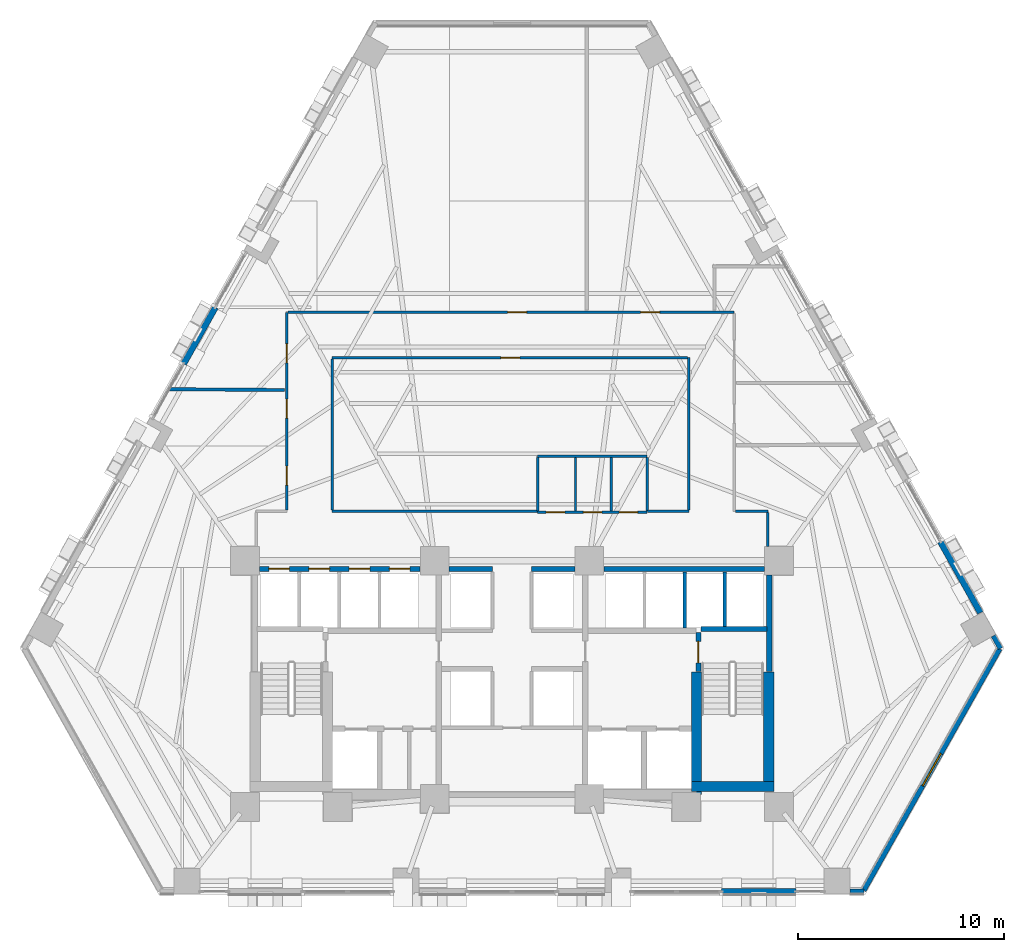
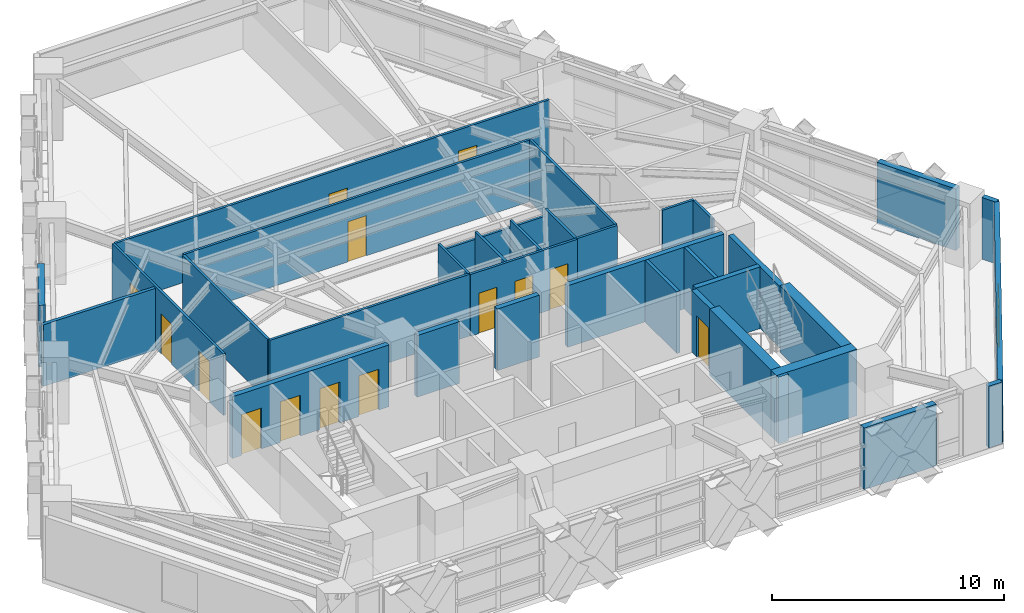
# One storey, part 8 of 13: 34 walls, 14 doors, 1 window, 15 openings.
"""IFC4 building model written with IfcOpenShell, lengths in metres."""

from ifc_helpers import new_model, si_unit, direction, frame, frame_2d, origin, place, context, subcontext, project, spatial, rectangle, extrude, material, layer, layer_set, type_object, element, fill, save


model = new_model("IFC4")

# Units and contexts
model_context = context("Model", 3, precision=1e-05, world=origin(), true_north=direction((0.0, 1.0)))
body_context = subcontext(model_context, "Body", "Model", "MODEL_VIEW")
ifc_project = project(units=[si_unit("LENGTHUNIT", "METRE"), si_unit("AREAUNIT", "SQUARE_METRE"), si_unit("VOLUMEUNIT", "CUBIC_METRE"), si_unit("PLANEANGLEUNIT", "RADIAN"), si_unit("MASSUNIT", "GRAM", prefix="KILO")], contexts=[model_context])

# Site, building, storey
site_placement = place(None, origin())
site = spatial("IfcSite", under=ifc_project, at=site_placement, CompositionType="ELEMENT")
building_placement = place(site_placement, origin())
building = spatial("IfcBuilding", under=site, at=building_placement, Name="Quenlor Broadcast Tower", CompositionType="ELEMENT")
storey_placement = place(building_placement, frame((0.0, 0.0, 41.60009765625)))
storey = spatial("IfcBuildingStorey", under=building, at=storey_placement, Name="L10", CompositionType="ELEMENT", Elevation=41.60009765625)

# Walls
ifc_material_1 = material(Name="Concrete C65/80", Category="concrete")
ifc_layer_1 = layer(ifc_material_1, 0.5)
ifc_layer_set_1 = layer_set([ifc_layer_1], Name="Core Concrete C65/80 Shear Wall 500")
wall_type_1 = type_object("IfcWallType", Name="Core Concrete C65/80 Shear Wall 500", PredefinedType="SHEAR", material=ifc_layer_set_1)
wall_1_placement = place(storey_placement, frame((8.699951171875, -15.75, 0.0), z_axis=(0.0, 0.0, 1.0), x_axis=(1.0, 0.0, 0.0)))
element("IfcWall", 1, at=wall_1_placement, inside=storey, type_object=wall_type_1, Name="L10 Core Shear Wall WS-E2", PredefinedType="SHEAR", context=body_context, shape_type="SweptSolid", body=[
    extrude(rectangle(XDim=4.0, YDim=0.5, at=frame_2d((2.0, 0.0))), origin(), (0.0, 0.0, 1.0), 3.5),
])
wall_2_placement = place(storey_placement, frame((12.449951171875, -15.75, 0.0), z_axis=(0.0, 0.0, 1.0), x_axis=(0.0, 1.0, 0.0)))
element("IfcWall", 2, at=wall_2_placement, inside=storey, type_object=wall_type_1, Name="L10 Core Shear Wall WF-E", PredefinedType="SHEAR", context=body_context, shape_type="SweptSolid", body=[
    extrude(rectangle(XDim=5.550048828125, YDim=0.5, at=frame_2d((2.77490234375, 0.0))), origin(), (0.0, 0.0, 1.0), 3.5),
])
wall_3_placement = place(storey_placement, frame((8.949951171875, -16.14990234375, 0.0), z_axis=(0.0, 0.0, 1.0), x_axis=(0.0, 1.0, 0.0)))
element("IfcWall", 3, at=wall_3_placement, inside=storey, type_object=wall_type_1, Name="L10 Core Shear Wall WI-E", PredefinedType="SHEAR", context=body_context, shape_type="SweptSolid", body=[
    extrude(rectangle(XDim=5.949951171875, YDim=0.5, at=frame_2d((2.97509765625, 0.0))), origin(), (0.0, 0.0, 1.0), 3.5),
])

# Wall, opening, door
ifc_material_2 = material(Name="Concrete C40/50", Category="concrete")
ifc_layer_2 = layer(ifc_material_2, 0.25)
ifc_layer_set_2 = layer_set([ifc_layer_2], Name="Fire Rated Concrete C40/50 Core Wall 250")
wall_type_2 = type_object("IfcWallType", Name="Fire Rated Concrete C40/50 Core Wall 250", PredefinedType="PARTITIONING", material=ifc_layer_set_2)
wall_4_placement = place(storey_placement, frame((9.0400390625, -10.179931640625, 0.0), z_axis=(0.0, 0.0, 1.0), x_axis=(0.0, 1.0, 0.0)))
wall_4 = element("IfcWall", 4, at=wall_4_placement, inside=storey, type_object=wall_type_2, Name="L10 Interior Wall CW-ST2-DR", PredefinedType="PARTITIONING", context=body_context, shape_type="SweptSolid", body=[
    extrude(rectangle(XDim=1.89990234375, YDim=0.25, at=frame_2d((0.949951171875, 0.0))), origin(), (0.0, 0.0, 1.0), 3.25),
])
opening_1_placement = place(wall_4_placement, frame((0.419921875, 0.0, 0.0)))
opening_1 = element("IfcOpeningElement", 5, at=opening_1_placement, cuts=wall_4, Name="Opening FD-1", PredefinedType="OPENING", context=body_context, shape_type="SweptSolid", body=[
    extrude(rectangle(XDim=1.050048828125, YDim=2.14990234375, at=frame_2d((0.52490234375, 1.074951171875))), frame((0.0, 0.135009765625, 0.0), z_axis=(0.0, -1.0, 0.0), x_axis=(1.0, 0.0, 0.0)), (0.0, 0.0, 1.0), 0.27001953125),
])
ifc_material_3 = material(Name="Fire Rated Steel Door Leaf", Category="steel")
door_type_1 = type_object("IfcDoorType", Name="Fire Isolated Stair Door 1050x2150", OperationType="NOTDEFINED", PredefinedType="DOOR", material=ifc_material_3)
door_1_placement = place(opening_1_placement, origin())
door_1 = element("IfcDoor", 6, at=door_1_placement, inside=storey, type_object=door_type_1, Name="L10 Door DR-ST2", OperationType="SINGLE_SWING_RIGHT", OverallHeight=2.14990234375, OverallWidth=1.050048828125, PredefinedType="DOOR", context=body_context, shape_type="SweptSolid", body=[
    extrude(rectangle(XDim=1.050048828125, YDim=2.14990234375, at=frame_2d((0.52490234375, 1.074951171875))), frame((0.0, 0.02490234375, 0.0), z_axis=(0.0, -1.0, 0.0), x_axis=(1.0, 0.0, 0.0)), (0.0, 0.0, 1.0), 0.050048828125),
])
fill(opening_1, door_1)

# Walls
wall_5_placement = place(storey_placement, frame((9.159912109375, -8.1201171875, 0.0), z_axis=(0.0, 0.0, 1.0), x_axis=(1.0, 0.0, 0.0)))
element("IfcWall", 7, at=wall_5_placement, inside=storey, type_object=wall_type_2, Name="L10 Interior Wall CW-ST2-N", PredefinedType="PARTITIONING", context=body_context, shape_type="SweptSolid", body=[
    extrude(rectangle(XDim=3.219970703125, YDim=0.25, at=frame_2d((1.60986328125, 0.0))), origin(), (0.0, 0.0, 1.0), 3.25),
])
wall_6_placement = place(storey_placement, frame((12.47998046875, -10.179931640625, 0.0), z_axis=(0.0, 0.0, 1.0), x_axis=(0.0, 1.0, 0.0)))
element("IfcWall", 8, at=wall_6_placement, inside=storey, type_object=wall_type_2, Name="L10 Interior Wall CW-ST2-E2", PredefinedType="PARTITIONING", context=body_context, shape_type="SweptSolid", body=[
    extrude(rectangle(XDim=4.677978515625, YDim=0.25, at=frame_2d((2.3388671875, 0.0))), origin(), (0.0, 0.0, 1.0), 3.25),
])

# Wall, openings, doors
wall_7_placement = place(storey_placement, frame((-12.248046875, -5.199951171875, 0.0), z_axis=(0.0, 0.0, 1.0), x_axis=(1.0, 0.0, 0.0)))
wall_7 = element("IfcWall", 9, at=wall_7_placement, inside=storey, type_object=wall_type_2, Name="L10 Interior Wall CW-N-W", PredefinedType="PARTITIONING", context=body_context, shape_type="SweptSolid", body=[
    extrude(rectangle(XDim=7.796142578125, YDim=0.25, at=frame_2d((3.89794921875, 0.0))), origin(), (0.0, 0.0, 1.0), 3.25),
])
opening_2_placement = place(wall_7_placement, frame((0.447998046875, 0.0, 0.0)))
opening_2 = element("IfcOpeningElement", 10, at=opening_2_placement, cuts=wall_7, Name="Opening LD-PL-L1", PredefinedType="OPENING", context=body_context, shape_type="SweptSolid", body=[
    extrude(rectangle(XDim=1.0, YDim=2.14990234375, at=frame_2d((0.5, 1.074951171875))), frame((0.0, 0.135009765625, 0.0), z_axis=(0.0, -1.0, 0.0), x_axis=(1.0, 0.0, 0.0)), (0.0, 0.0, 1.0), 0.27001953125),
])
opening_3_placement = place(wall_7_placement, frame((2.39794921875, 0.0, 0.0)))
opening_3 = element("IfcOpeningElement", 11, at=opening_3_placement, cuts=wall_7, Name="Opening LD-PL-L2", PredefinedType="OPENING", context=body_context, shape_type="SweptSolid", body=[
    extrude(rectangle(XDim=1.0, YDim=2.14990234375, at=frame_2d((0.5, 1.074951171875))), frame((0.0, 0.135009765625, 0.0), z_axis=(0.0, -1.0, 0.0), x_axis=(1.0, 0.0, 0.0)), (0.0, 0.0, 1.0), 0.27001953125),
])
opening_4_placement = place(wall_7_placement, frame((4.347900390625, 0.0, 0.0)))
opening_4 = element("IfcOpeningElement", 12, at=opening_4_placement, cuts=wall_7, Name="Opening LD-PL-L3", PredefinedType="OPENING", context=body_context, shape_type="SweptSolid", body=[
    extrude(rectangle(XDim=1.0, YDim=2.14990234375, at=frame_2d((0.5, 1.074951171875))), frame((0.0, 0.135009765625, 0.0), z_axis=(0.0, -1.0, 0.0), x_axis=(1.0, 0.0, 0.0)), (0.0, 0.0, 1.0), 0.27001953125),
])
opening_5_placement = place(wall_7_placement, frame((6.298095703125, 0.0, 0.0)))
opening_5 = element("IfcOpeningElement", 13, at=opening_5_placement, cuts=wall_7, Name="Opening LD-PL-L4", PredefinedType="OPENING", context=body_context, shape_type="SweptSolid", body=[
    extrude(rectangle(XDim=1.0, YDim=2.14990234375, at=frame_2d((0.5, 1.074951171875))), frame((0.0, 0.135009765625, 0.0), z_axis=(0.0, -1.0, 0.0), x_axis=(1.0, 0.0, 0.0)), (0.0, 0.0, 1.0), 0.27001953125),
])
ifc_material_4 = material(Name="Brushed Stainless Steel", Category="steel")
door_type_2 = type_object("IfcDoorType", Name="Passenger Lift Sliding Landing Door 1000x2150", OperationType="NOTDEFINED", PredefinedType="DOOR", material=ifc_material_4)
door_2_placement = place(opening_2_placement, origin())
door_2 = element("IfcDoor", 14, at=door_2_placement, inside=storey, type_object=door_type_2, Name="L10 Door LD-PL-L1", OperationType="SLIDING_TO_LEFT", OverallHeight=2.14990234375, OverallWidth=1.0, PredefinedType="DOOR", context=body_context, shape_type="SweptSolid", body=[
    extrude(rectangle(XDim=1.0, YDim=2.14990234375, at=frame_2d((0.5, 1.074951171875))), frame((0.0, 0.02490234375, 0.0), z_axis=(0.0, -1.0, 0.0), x_axis=(1.0, 0.0, 0.0)), (0.0, 0.0, 1.0), 0.050048828125),
])
fill(opening_2, door_2)
door_3_placement = place(opening_3_placement, origin())
door_3 = element("IfcDoor", 15, at=door_3_placement, inside=storey, type_object=door_type_2, Name="L10 Door LD-PL-L2", OperationType="SLIDING_TO_LEFT", OverallHeight=2.14990234375, OverallWidth=1.0, PredefinedType="DOOR", context=body_context, shape_type="SweptSolid", body=[
    extrude(rectangle(XDim=1.0, YDim=2.14990234375, at=frame_2d((0.5, 1.074951171875))), frame((0.0, 0.02490234375, 0.0), z_axis=(0.0, -1.0, 0.0), x_axis=(1.0, 0.0, 0.0)), (0.0, 0.0, 1.0), 0.050048828125),
])
fill(opening_3, door_3)
door_4_placement = place(opening_4_placement, origin())
door_4 = element("IfcDoor", 16, at=door_4_placement, inside=storey, type_object=door_type_2, Name="L10 Door LD-PL-L3", OperationType="SLIDING_TO_LEFT", OverallHeight=2.14990234375, OverallWidth=1.0, PredefinedType="DOOR", context=body_context, shape_type="SweptSolid", body=[
    extrude(rectangle(XDim=1.0, YDim=2.14990234375, at=frame_2d((0.5, 1.074951171875))), frame((0.0, 0.02490234375, 0.0), z_axis=(0.0, -1.0, 0.0), x_axis=(1.0, 0.0, 0.0)), (0.0, 0.0, 1.0), 0.050048828125),
])
fill(opening_4, door_4)
door_5_placement = place(opening_5_placement, origin())
door_5 = element("IfcDoor", 17, at=door_5_placement, inside=storey, type_object=door_type_2, Name="L10 Door LD-PL-L4", OperationType="SLIDING_TO_LEFT", OverallHeight=2.14990234375, OverallWidth=1.0, PredefinedType="DOOR", context=body_context, shape_type="SweptSolid", body=[
    extrude(rectangle(XDim=1.0, YDim=2.14990234375, at=frame_2d((0.5, 1.074951171875))), frame((0.0, 0.02490234375, 0.0), z_axis=(0.0, -1.0, 0.0), x_axis=(1.0, 0.0, 0.0)), (0.0, 0.0, 1.0), 0.050048828125),
])
fill(opening_5, door_5)

# Walls
wall_8_placement = place(storey_placement, frame((4.451904296875, -5.199951171875, 0.0), z_axis=(0.0, 0.0, 1.0), x_axis=(1.0, 0.0, 0.0)))
element("IfcWall", 18, at=wall_8_placement, inside=storey, type_object=wall_type_2, Name="L10 Interior Wall CW-N-E", PredefinedType="PARTITIONING", context=body_context, shape_type="SweptSolid", body=[
    extrude(rectangle(XDim=7.796142578125, YDim=0.25, at=frame_2d((3.89794921875, 0.0))), origin(), (0.0, 0.0, 1.0), 3.25),
])
for number, where, z_axis, x_axis, name in (
    (19, (-3.048095703125, -5.199951171875, 0.0), (0.0, 0.0, 1.0), (1.0, 0.0, 0.0), "L10 Interior Wall CW-N-M1"),
    (20, (0.949951171875, -5.199951171875, 0.0), (0.0, 0.0, 1.0), (1.0, 0.0, 0.0), "L10 Interior Wall CW-N-M2"),
):
    element("IfcWall", number, at=place(storey_placement, frame(where, z_axis=z_axis, x_axis=x_axis)), inside=storey, type_object=wall_type_2, Name=name, PredefinedType="PARTITIONING", context=body_context, shape_type="SweptSolid", body=[
        extrude(rectangle(XDim=2.09814453125, YDim=0.25, at=frame_2d((1.049072265625, 0.0))), origin(), (0.0, 0.0, 1.0), 3.25),
    ])
ifc_material_5 = material(Name="Gypsum Fireboard Partition", Category="other")
ifc_layer_3 = layer(ifc_material_5, 0.159912109375)
ifc_layer_set_3 = layer_set([ifc_layer_3], Name="Fire Rated Shaft and Corridor Partition 160")
wall_type_3 = type_object("IfcWallType", Name="Fire Rated Shaft and Corridor Partition 160", PredefinedType="PARTITIONING", material=ifc_layer_set_3)
wall_9_placement = place(storey_placement, frame((8.375, -8.072998046875, 0.0), z_axis=(0.0, 0.0, 1.0), x_axis=(0.0, 1.0, 0.0)))
element("IfcWall", 21, at=wall_9_placement, inside=storey, type_object=wall_type_3, Name="L10 Interior Wall CW-PLH-D2", PredefinedType="PARTITIONING", context=body_context, shape_type="SweptSolid", body=[
    extrude(rectangle(XDim=2.73291015625, YDim=0.159912109375, at=frame_2d((1.366455078125, 0.0))), origin(), (0.0, 0.0, 1.0), 3.25),
])
wall_10_placement = place(storey_placement, frame((10.324951171875, -7.992919921875, 0.0), z_axis=(0.0, 0.0, 1.0), x_axis=(0.0, 1.0, 0.0)))
element("IfcWall", 22, at=wall_10_placement, inside=storey, type_object=wall_type_3, Name="L10 Interior Wall CW-PLH-D3", PredefinedType="PARTITIONING", context=body_context, shape_type="SweptSolid", body=[
    extrude(rectangle(XDim=2.65283203125, YDim=0.159912109375, at=frame_2d((1.326416015625, 0.0))), origin(), (0.0, 0.0, 1.0), 3.25),
])
wall_11_placement = place(storey_placement, frame((-11.034912109375, 3.481201171875, 0.0), z_axis=(0.0, 0.0, 1.0), x_axis=(-0.999974855712, 0.007091399344, 0.0)))
element("IfcWall", 23, at=wall_11_placement, inside=storey, type_object=wall_type_3, Name="L10 Interior Wall PW-DV-04", PredefinedType="PARTITIONING", context=body_context, shape_type="SweptSolid", body=[
    extrude(rectangle(XDim=5.577392578125, YDim=0.159912109375, at=frame_2d((2.78857421875, 0.0))), origin(), (0.0, 0.0, 1.0), 3.25),
])

# Wall, openings, doors
ifc_material_6 = material(Name="Gypsum Plasterboard Partition", Category="other")
ifc_layer_4 = layer(ifc_material_6, 0.1201171875)
ifc_layer_set_4 = layer_set([ifc_layer_4], Name="Standard Office Partition 120")
wall_type_4 = type_object("IfcWallType", Name="Standard Office Partition 120", PredefinedType="PARTITIONING", material=ifc_layer_set_4)
wall_12_placement = place(storey_placement, frame((1.239990234375, -2.43994140625, 0.0), z_axis=(0.0, 0.0, 1.0), x_axis=(1.0, 0.0, 0.0)))
wall_12 = element("IfcWall", 24, at=wall_12_placement, inside=storey, type_object=wall_type_4, Name="L10 Interior Wall PW-WC-S", PredefinedType="PARTITIONING", context=body_context, shape_type="SweptSolid", body=[
    extrude(rectangle(XDim=5.320068359375, YDim=0.1201171875, at=frame_2d((2.66015625, 0.0))), origin(), (0.0, 0.0, 1.0), 3.25),
])
opening_6_placement = place(wall_12_placement, frame((0.419921875, 0.0, 0.0)))
opening_6 = element("IfcOpeningElement", 25, at=opening_6_placement, cuts=wall_12, Name="Opening ID-3", PredefinedType="OPENING", context=body_context, shape_type="SweptSolid", body=[
    extrude(rectangle(XDim=0.89990234375, YDim=2.1201171875, at=frame_2d((0.449951171875, 1.06005859375))), frame((0.0, 0.070068359375, 0.0), z_axis=(0.0, -1.0, 0.0), x_axis=(1.0, 0.0, 0.0)), (0.0, 0.0, 1.0), 0.14013671875),
])
opening_7_placement = place(wall_12_placement, frame((2.219970703125, 0.0, 0.0)))
opening_7 = element("IfcOpeningElement", 26, at=opening_7_placement, cuts=wall_12, Name="Opening ID-3", PredefinedType="OPENING", context=body_context, shape_type="SweptSolid", body=[
    extrude(rectangle(XDim=0.89990234375, YDim=2.1201171875, at=frame_2d((0.449951171875, 1.06005859375))), frame((0.0, 0.070068359375, 0.0), z_axis=(0.0, -1.0, 0.0), x_axis=(1.0, 0.0, 0.0)), (0.0, 0.0, 1.0), 0.14013671875),
])
opening_8_placement = place(wall_12_placement, frame((3.9599609375, 0.0, 0.0)))
opening_8 = element("IfcOpeningElement", 27, at=opening_8_placement, cuts=wall_12, Name="Opening ID-3", PredefinedType="OPENING", context=body_context, shape_type="SweptSolid", body=[
    extrude(rectangle(XDim=0.89990234375, YDim=2.1201171875, at=frame_2d((0.449951171875, 1.06005859375))), frame((0.0, 0.070068359375, 0.0), z_axis=(0.0, -1.0, 0.0), x_axis=(1.0, 0.0, 0.0)), (0.0, 0.0, 1.0), 0.14013671875),
])
ifc_material_7 = material(Name="Moisture Resistant Timber Oak", Category="wood")
door_type_3 = type_object("IfcDoorType", Name="Washroom Privacy Door 900x2120", OperationType="NOTDEFINED", PredefinedType="DOOR", material=ifc_material_7)
door_6_placement = place(opening_6_placement, origin())
door_6 = element("IfcDoor", 28, at=door_6_placement, inside=storey, type_object=door_type_3, Name="L10 Door DR-AWC", OperationType="SINGLE_SWING_LEFT", OverallHeight=2.1201171875, OverallWidth=0.89990234375, PredefinedType="DOOR", context=body_context, shape_type="SweptSolid", body=[
    extrude(rectangle(XDim=0.89990234375, YDim=2.1201171875, at=frame_2d((0.449951171875, 1.06005859375))), frame((0.0, 0.02490234375, 0.0), z_axis=(0.0, -1.0, 0.0), x_axis=(1.0, 0.0, 0.0)), (0.0, 0.0, 1.0), 0.050048828125),
])
fill(opening_6, door_6)
door_7_placement = place(opening_7_placement, origin())
door_7 = element("IfcDoor", 29, at=door_7_placement, inside=storey, type_object=door_type_3, Name="L10 Door DR-MWC", OperationType="SINGLE_SWING_LEFT", OverallHeight=2.1201171875, OverallWidth=0.89990234375, PredefinedType="DOOR", context=body_context, shape_type="SweptSolid", body=[
    extrude(rectangle(XDim=0.89990234375, YDim=2.1201171875, at=frame_2d((0.449951171875, 1.06005859375))), frame((0.0, 0.02490234375, 0.0), z_axis=(0.0, -1.0, 0.0), x_axis=(1.0, 0.0, 0.0)), (0.0, 0.0, 1.0), 0.050048828125),
])
fill(opening_7, door_7)
door_8_placement = place(opening_8_placement, origin())
door_8 = element("IfcDoor", 30, at=door_8_placement, inside=storey, type_object=door_type_3, Name="L10 Door DR-FWC", OperationType="SINGLE_SWING_RIGHT", OverallHeight=2.1201171875, OverallWidth=0.89990234375, PredefinedType="DOOR", context=body_context, shape_type="SweptSolid", body=[
    extrude(rectangle(XDim=0.89990234375, YDim=2.1201171875, at=frame_2d((0.449951171875, 1.06005859375))), frame((0.0, 0.02490234375, 0.0), z_axis=(0.0, -1.0, 0.0), x_axis=(1.0, 0.0, 0.0)), (0.0, 0.0, 1.0), 0.050048828125),
])
fill(opening_8, door_8)

# Walls
wall_13_placement = place(storey_placement, frame((1.239990234375, 0.260009765625, 0.0), z_axis=(0.0, 0.0, 1.0), x_axis=(1.0, 0.0, 0.0)))
element("IfcWall", 31, at=wall_13_placement, inside=storey, type_object=wall_type_4, Name="L10 Interior Wall PW-WC-N", PredefinedType="PARTITIONING", context=body_context, shape_type="SweptSolid", body=[
    extrude(rectangle(XDim=5.320068359375, YDim=0.1201171875, at=frame_2d((2.66015625, 0.0))), origin(), (0.0, 0.0, 1.0), 2.843505859375),
])
for number, where, z_axis, x_axis, name in (
    (32, (1.239990234375, -2.3779296875, 0.0), (0.0, 0.0, 1.0), (0.0, 1.0, 0.0), "L10 Interior Wall PW-WC-W"),
    (33, (3.080078125, -2.3779296875, 0.0), (0.0, 0.0, 1.0), (0.0, 1.0, 0.0), "L10 Interior Wall PW-WC-M1"),
    (34, (4.820068359375, -2.3779296875, 0.0), (0.0, 0.0, 1.0), (0.0, 1.0, 0.0), "L10 Interior Wall PW-WC-M2"),
    (35, (6.56005859375, -2.3779296875, 0.0), (0.0, 0.0, 1.0), (0.0, 1.0, 0.0), "L10 Interior Wall PW-WC-E"),
):
    element("IfcWall", number, at=place(storey_placement, frame(where, z_axis=z_axis, x_axis=x_axis)), inside=storey, type_object=wall_type_4, Name=name, PredefinedType="PARTITIONING", context=body_context, shape_type="SweptSolid", body=[
        extrude(rectangle(XDim=2.575927734375, YDim=0.1201171875, at=frame_2d((1.2880859375, 0.0))), origin(), (0.0, 0.0, 1.0), 3.25),
    ])

# Wall, openings, doors
wall_14_placement = place(storey_placement, frame((-10.925048828125, -2.337890625, 0.0), z_axis=(0.0, 0.0, 1.0), x_axis=(0.0, 1.0, 0.0)))
wall_14 = element("IfcWall", 36, at=wall_14_placement, inside=storey, type_object=wall_type_4, Name="L10 Interior Wall PW-CR-02", PredefinedType="PARTITIONING", context=body_context, shape_type="SweptSolid", body=[
    extrude(rectangle(XDim=9.587890625, YDim=0.1201171875, at=frame_2d((4.7939453125, 0.0))), origin(), (0.0, 0.0, 1.0), 3.25),
])
opening_9_placement = place(wall_14_placement, frame((7.134033203125, 0.0, 0.0)))
opening_9 = element("IfcOpeningElement", 37, at=opening_9_placement, cuts=wall_14, Name="Opening ID-1", PredefinedType="OPENING", context=body_context, shape_type="SweptSolid", body=[
    extrude(rectangle(XDim=0.919921875, YDim=2.1201171875, at=frame_2d((0.4599609375, 1.06005859375))), frame((0.0, 0.070068359375, 0.0), z_axis=(0.0, -1.0, 0.0), x_axis=(1.0, 0.0, 0.0)), (0.0, 0.0, 1.0), 0.14013671875),
])
opening_10_placement = place(wall_14_placement, frame((4.452880859375, 0.0, 0.0)))
opening_10 = element("IfcOpeningElement", 38, at=opening_10_placement, cuts=wall_14, Name="Opening ID-1", PredefinedType="OPENING", context=body_context, shape_type="SweptSolid", body=[
    extrude(rectangle(XDim=0.919921875, YDim=2.1201171875, at=frame_2d((0.4599609375, 1.06005859375))), frame((0.0, 0.070068359375, 0.0), z_axis=(0.0, -1.0, 0.0), x_axis=(1.0, 0.0, 0.0)), (0.0, 0.0, 1.0), 0.14013671875),
])
opening_11_placement = place(wall_14_placement, frame((1.20703125, 0.0, 0.0)))
opening_11 = element("IfcOpeningElement", 39, at=opening_11_placement, cuts=wall_14, Name="Opening ID-1", PredefinedType="OPENING", context=body_context, shape_type="SweptSolid", body=[
    extrude(rectangle(XDim=0.919921875, YDim=2.1201171875, at=frame_2d((0.4599609375, 1.06005859375))), frame((0.0, 0.070068359375, 0.0), z_axis=(0.0, -1.0, 0.0), x_axis=(1.0, 0.0, 0.0)), (0.0, 0.0, 1.0), 0.14013671875),
])
ifc_material_8 = material(Name="Solid Core Timber Oak", Category="wood")
door_type_4 = type_object("IfcDoorType", Name="Single Leaf Timber Office Door 920x2120", OperationType="NOTDEFINED", PredefinedType="DOOR", material=ifc_material_8)
door_9_placement = place(opening_9_placement, origin())
door_9 = element("IfcDoor", 40, at=door_9_placement, inside=storey, type_object=door_type_4, Name="L10 Door DR-RM03", OperationType="SINGLE_SWING_RIGHT", OverallHeight=2.1201171875, OverallWidth=0.919921875, PredefinedType="DOOR", context=body_context, shape_type="SweptSolid", body=[
    extrude(rectangle(XDim=0.919921875, YDim=2.1201171875, at=frame_2d((0.4599609375, 1.06005859375))), frame((0.0, 0.02490234375, 0.0), z_axis=(0.0, -1.0, 0.0), x_axis=(1.0, 0.0, 0.0)), (0.0, 0.0, 1.0), 0.050048828125),
])
fill(opening_9, door_9)
door_10_placement = place(opening_10_placement, origin())
door_10 = element("IfcDoor", 41, at=door_10_placement, inside=storey, type_object=door_type_4, Name="L10 Door DR-RM05", OperationType="SINGLE_SWING_RIGHT", OverallHeight=2.1201171875, OverallWidth=0.919921875, PredefinedType="DOOR", context=body_context, shape_type="SweptSolid", body=[
    extrude(rectangle(XDim=0.919921875, YDim=2.1201171875, at=frame_2d((0.4599609375, 1.06005859375))), frame((0.0, 0.02490234375, 0.0), z_axis=(0.0, -1.0, 0.0), x_axis=(1.0, 0.0, 0.0)), (0.0, 0.0, 1.0), 0.050048828125),
])
fill(opening_10, door_10)
door_11_placement = place(opening_11_placement, origin())
door_11 = element("IfcDoor", 42, at=door_11_placement, inside=storey, type_object=door_type_4, Name="L10 Door DR-RM08", OperationType="SINGLE_SWING_LEFT", OverallHeight=2.1201171875, OverallWidth=0.919921875, PredefinedType="DOOR", context=body_context, shape_type="SweptSolid", body=[
    extrude(rectangle(XDim=0.919921875, YDim=2.1201171875, at=frame_2d((0.4599609375, 1.06005859375))), frame((0.0, 0.02490234375, 0.0), z_axis=(0.0, -1.0, 0.0), x_axis=(1.0, 0.0, 0.0)), (0.0, 0.0, 1.0), 0.050048828125),
])
fill(opening_11, door_11)

wall_15_placement = place(storey_placement, frame((-10.863037109375, 7.25, 0.0), z_axis=(0.0, 0.0, 1.0), x_axis=(1.0, 0.0, 0.0)))
wall_15 = element("IfcWall", 43, at=wall_15_placement, inside=storey, type_object=wall_type_4, Name="L10 Interior Wall PW-CR-03", PredefinedType="PARTITIONING", context=body_context, shape_type="SweptSolid", body=[
    extrude(rectangle(XDim=21.637939453125, YDim=0.1201171875, at=frame_2d((10.81884765625, 0.0))), origin(), (0.0, 0.0, 1.0), 3.25),
])
opening_12_placement = place(wall_15_placement, frame((10.653076171875, 0.0, 0.0)))
opening_12 = element("IfcOpeningElement", 44, at=opening_12_placement, cuts=wall_15, Name="Opening ID-1", PredefinedType="OPENING", context=body_context, shape_type="SweptSolid", body=[
    extrude(rectangle(XDim=0.919921875, YDim=2.1201171875, at=frame_2d((0.4599609375, 1.06005859375))), frame((0.0, 0.070068359375, 0.0), z_axis=(0.0, -1.0, 0.0), x_axis=(1.0, 0.0, 0.0)), (0.0, 0.0, 1.0), 0.14013671875),
])
opening_13_placement = place(wall_15_placement, frame((17.10302734375, 0.0, 0.0)))
opening_13 = element("IfcOpeningElement", 45, at=opening_13_placement, cuts=wall_15, Name="Opening ID-1", PredefinedType="OPENING", context=body_context, shape_type="SweptSolid", body=[
    extrude(rectangle(XDim=0.919921875, YDim=2.1201171875, at=frame_2d((0.4599609375, 1.06005859375))), frame((0.0, 0.070068359375, 0.0), z_axis=(0.0, -1.0, 0.0), x_axis=(1.0, 0.0, 0.0)), (0.0, 0.0, 1.0), 0.14013671875),
])
door_12_placement = place(opening_12_placement, origin())
door_12 = element("IfcDoor", 46, at=door_12_placement, inside=storey, type_object=door_type_4, Name="L10 Door DR-RM01", OperationType="SINGLE_SWING_RIGHT", OverallHeight=2.1201171875, OverallWidth=0.919921875, PredefinedType="DOOR", context=body_context, shape_type="SweptSolid", body=[
    extrude(rectangle(XDim=0.919921875, YDim=2.1201171875, at=frame_2d((0.4599609375, 1.06005859375))), frame((0.0, 0.02490234375, 0.0), z_axis=(0.0, -1.0, 0.0), x_axis=(1.0, 0.0, 0.0)), (0.0, 0.0, 1.0), 0.050048828125),
])
fill(opening_12, door_12)
door_13_placement = place(opening_13_placement, origin())
door_13 = element("IfcDoor", 47, at=door_13_placement, inside=storey, type_object=door_type_4, Name="L10 Door DR-RM02", OperationType="SINGLE_SWING_LEFT", OverallHeight=2.1201171875, OverallWidth=0.919921875, PredefinedType="DOOR", context=body_context, shape_type="SweptSolid", body=[
    extrude(rectangle(XDim=0.919921875, YDim=2.1201171875, at=frame_2d((0.4599609375, 1.06005859375))), frame((0.0, 0.02490234375, 0.0), z_axis=(0.0, -1.0, 0.0), x_axis=(1.0, 0.0, 0.0)), (0.0, 0.0, 1.0), 0.050048828125),
])
fill(opening_13, door_13)

# Walls
wall_16_placement = place(storey_placement, frame((10.8369140625, -2.39990234375, 0.0), z_axis=(0.0, 0.0, 1.0), x_axis=(1.0, 0.0, 0.0)))
element("IfcWall", 48, at=wall_16_placement, inside=storey, type_object=wall_type_4, Name="L10 Interior Wall PW-CR-05", PredefinedType="PARTITIONING", context=body_context, shape_type="SweptSolid", body=[
    extrude(rectangle(XDim=1.572998046875, YDim=0.1201171875, at=frame_2d((0.78662109375, 0.0))), origin(), (0.0, 0.0, 1.0), 3.25),
])
wall_17_placement = place(storey_placement, frame((12.409912109375, -2.4619140625, 0.0), z_axis=(0.0, 0.0, 1.0), x_axis=(0.0, -1.0, 0.0)))
element("IfcWall", 49, at=wall_17_placement, inside=storey, type_object=wall_type_4, Name="L10 Interior Wall PW-CR-06", PredefinedType="PARTITIONING", context=body_context, shape_type="SweptSolid", body=[
    extrude(rectangle(XDim=1.635986328125, YDim=0.1201171875, at=frame_2d((0.81787109375, 0.0))), origin(), (0.0, 0.0, 1.0), 3.25),
])
wall_18_placement = place(storey_placement, frame((-8.72509765625, -2.39990234375, 0.0), z_axis=(0.0, 0.0, 1.0), x_axis=(1.0, 0.0, 0.0)))
element("IfcWall", 50, at=wall_18_placement, inside=storey, type_object=wall_type_4, Name="L10 Interior Wall PW-CR-08", PredefinedType="PARTITIONING", context=body_context, shape_type="SweptSolid", body=[
    extrude(rectangle(XDim=9.963134765625, YDim=0.1201171875, at=frame_2d((4.9814453125, 0.0))), origin(), (0.0, 0.0, 1.0), 3.25),
])
wall_19_placement = place(storey_placement, frame((6.56201171875, -2.39990234375, 0.0), z_axis=(0.0, 0.0, 1.0), x_axis=(1.0, 0.0, 0.0)))
element("IfcWall", 51, at=wall_19_placement, inside=storey, type_object=wall_type_4, Name="L10 Interior Wall PW-CR-08S2", PredefinedType="PARTITIONING", context=body_context, shape_type="SweptSolid", body=[
    extrude(rectangle(XDim=2.012939453125, YDim=0.1201171875, at=frame_2d((1.00634765625, 0.0))), origin(), (0.0, 0.0, 1.0), 3.25),
])
wall_20_placement = place(storey_placement, frame((8.574951171875, -2.337890625, 0.0), z_axis=(0.0, 0.0, 1.0), x_axis=(0.0, 1.0, 0.0)))
element("IfcWall", 52, at=wall_20_placement, inside=storey, type_object=wall_type_4, Name="L10 Interior Wall PW-CR-09", PredefinedType="PARTITIONING", context=body_context, shape_type="SweptSolid", body=[
    extrude(rectangle(XDim=7.387939453125, YDim=0.1201171875, at=frame_2d((3.69384765625, 0.0))), origin(), (0.0, 0.0, 1.0), 3.25),
])

# Wall, opening, door
wall_21_placement = place(storey_placement, frame((8.512939453125, 5.050048828125, 0.0), z_axis=(0.0, 0.0, 1.0), x_axis=(-1.0, 0.0, 0.0)))
wall_21 = element("IfcWall", 53, at=wall_21_placement, inside=storey, type_object=wall_type_4, Name="L10 Interior Wall PW-CR-10", PredefinedType="PARTITIONING", context=body_context, shape_type="SweptSolid", body=[
    extrude(rectangle(XDim=17.238037109375, YDim=0.1201171875, at=frame_2d((8.619140625, 0.0))), origin(), (0.0, 0.0, 1.0), 3.25),
])
opening_14_placement = place(wall_21_placement, frame((8.1279296875, 0.0, 0.0)))
opening_14 = element("IfcOpeningElement", 54, at=opening_14_placement, cuts=wall_21, Name="Opening ID-1", PredefinedType="OPENING", context=body_context, shape_type="SweptSolid", body=[
    extrude(rectangle(XDim=0.919921875, YDim=2.1201171875, at=frame_2d((0.4599609375, 1.06005859375))), frame((0.0, 0.070068359375, 0.0), z_axis=(0.0, -1.0, 0.0), x_axis=(1.0, 0.0, 0.0)), (0.0, 0.0, 1.0), 0.14013671875),
])
door_14_placement = place(opening_14_placement, origin())
door_14 = element("IfcDoor", 55, at=door_14_placement, inside=storey, type_object=door_type_4, Name="L10 Door DR-RM07", OperationType="SINGLE_SWING_RIGHT", OverallHeight=2.1201171875, OverallWidth=0.919921875, PredefinedType="DOOR", context=body_context, shape_type="SweptSolid", body=[
    extrude(rectangle(XDim=0.919921875, YDim=2.1201171875, at=frame_2d((0.4599609375, 1.06005859375))), frame((0.0, 0.02490234375, 0.0), z_axis=(0.0, -1.0, 0.0), x_axis=(1.0, 0.0, 0.0)), (0.0, 0.0, 1.0), 0.050048828125),
])
fill(opening_14, door_14)

# Walls
wall_22_placement = place(storey_placement, frame((-8.72509765625, 4.988037109375, 0.0), z_axis=(0.0, 0.0, 1.0), x_axis=(0.0, -1.0, 0.0)))
element("IfcWall", 56, at=wall_22_placement, inside=storey, type_object=wall_type_4, Name="L10 Interior Wall PW-CR-11", PredefinedType="PARTITIONING", context=body_context, shape_type="SweptSolid", body=[
    extrude(rectangle(XDim=7.325927734375, YDim=0.1201171875, at=frame_2d((3.6630859375, 0.0))), origin(), (0.0, 0.0, 1.0), 3.25),
])
ifc_material_9 = material(Name="Precast concrete C40/50", Category="concrete")
ifc_layer_5 = layer(ifc_material_9, 0.239990234375)
ifc_layer_set_5 = layer_set([ifc_layer_5], Name="Terrace Threshold Precast Concrete C40/50 Wall 240")
wall_type_5 = type_object("IfcWallType", Name="Terrace Threshold Precast Concrete C40/50 Wall 240", PredefinedType="STANDARD", material=ifc_layer_set_5)
wall_23_placement = place(storey_placement, frame((17.075927734375, -20.840087890625, 0.0), z_axis=(0.0, 0.0, 1.0), x_axis=(-1.0, 0.0, 0.0)))
element("IfcWall", 57, at=wall_23_placement, inside=storey, type_object=wall_type_5, Name="L10 Exterior Wall L10-SHD-SS0", PredefinedType="STANDARD", context=body_context, shape_type="SweptSolid", body=[
    extrude(rectangle(XDim=0.680908203125, YDim=0.239990234375, at=frame_2d((0.34033203125, 0.0))), origin(), (0.0, 0.0, 1.0), 3.25),
])
wall_24_placement = place(storey_placement, frame((23.351806640625, -8.44091796875, 0.0), z_axis=(0.0, 0.0, 1.0), x_axis=(0.490523074758, -0.871428203084, 0.0)))
element("IfcWall", 58, at=wall_24_placement, inside=storey, type_object=wall_type_5, Name="L10 Exterior Wall L10-SHD-NES1", PredefinedType="STANDARD", context=body_context, shape_type="SweptSolid", body=[
    extrude(rectangle(XDim=0.708251953125, YDim=0.239990234375, at=frame_2d((0.35400390625, 0.0))), origin(), (0.0, 0.0, 1.0), 3.25),
])

# Wall, opening, window
wall_25_placement = place(storey_placement, frame((17.06689453125, -20.79638671875, 0.0), z_axis=(0.0, 0.0, 1.0), x_axis=(0.490268135177, 0.871571658345, 0.0)))
wall_25 = element("IfcWall", 59, at=wall_25_placement, inside=storey, type_object=wall_type_5, Name="L10 Exterior Wall L10-CNR-06", PredefinedType="STANDARD", context=body_context, shape_type="SweptSolid", body=[
    extrude(rectangle(XDim=13.44775390625, YDim=0.239990234375, at=frame_2d((6.723876953125, 0.0))), origin(), (0.0, 0.0, 1.0), 3.25),
])
opening_15_placement = place(wall_25_placement, frame((5.823974609375, 0.0, 0.89990234375)))
opening_15 = element("IfcOpeningElement", 60, at=opening_15_placement, cuts=wall_25, Name="Opening WN-1", PredefinedType="OPENING", context=body_context, shape_type="SweptSolid", body=[
    extrude(rectangle(XDim=1.800048828125, YDim=2.10009765625, at=frame_2d((0.89990234375, 1.050048828125))), frame((0.0, 0.1298828125, 0.0), z_axis=(0.0, -1.0, 0.0), x_axis=(1.0, 0.0, 0.0)), (0.0, 0.0, 1.0), 0.260009765625),
])
ifc_material_10 = material(Name="Thermally Broken Aluminium and Low-E Glass", Category="aluminium")
window_type = type_object("IfcWindowType", Name="Tower Acoustic Vision Window 1800x2100", PartitioningType="SINGLE_PANEL", PredefinedType="WINDOW", material=ifc_material_10)
window_placement = place(opening_15_placement, origin())
window = element("IfcWindow", 61, at=window_placement, inside=storey, type_object=window_type, Name="L10 Corner Chamfer Window 6", OverallHeight=2.10009765625, OverallWidth=1.800048828125, PartitioningType="SINGLE_PANEL", PredefinedType="WINDOW", context=body_context, shape_type="SweptSolid", body=[
    extrude(rectangle(XDim=1.800048828125, YDim=2.10009765625, at=frame_2d((0.89990234375, 1.050048828125))), frame((0.0, 0.030029296875, 0.0), z_axis=(0.0, -1.0, 0.0), x_axis=(1.0, 0.0, 0.0)), (0.0, 0.0, 1.0), 0.06005859375),
])
fill(opening_15, window)

# Walls
ifc_material_11 = material(Name="Precast concrete C40/50", Category="concrete")
ifc_layer_6 = layer(ifc_material_11, 0.300048828125)
ifc_layer_set_6 = layer_set([ifc_layer_6], Name="Terracotta Precast Concrete C40/50 Spandrel Wall 300")
wall_type_6 = type_object("IfcWallType", Name="Terracotta Precast Concrete C40/50 Spandrel Wall 300", PredefinedType="STANDARD", material=ifc_layer_set_6)
wall_26_placement = place(storey_placement, frame((13.766845703125, -20.840087890625, 0.0), z_axis=(0.0, 0.0, 1.0), x_axis=(-1.0, 0.0, 0.0)))
element("IfcWall", 62, at=wall_26_placement, inside=storey, type_object=wall_type_6, Name="L10 Exterior Wall L10-SA-SP1", PredefinedType="STANDARD", context=body_context, shape_type="SweptSolid", body=[
    extrude(rectangle(XDim=3.592041015625, YDim=0.300048828125, at=frame_2d((1.7958984375, 0.0))), origin(), (0.0, 0.0, 1.0), 3.25),
])
wall_27_placement = place(storey_placement, frame((20.784423828125, -3.87646484375, 0.0), z_axis=(0.0, 0.0, 1.0), x_axis=(0.490267098362, -0.871572241563, 0.0)))
element("IfcWall", 63, at=wall_27_placement, inside=storey, type_object=wall_type_6, Name="L10 Exterior Wall L10-NEC-SP2", PredefinedType="STANDARD", context=body_context, shape_type="SweptSolid", body=[
    extrude(rectangle(XDim=3.956787109375, YDim=0.300048828125, at=frame_2d((1.978515625, 0.0))), origin(), (0.0, 0.0, 1.0), 3.25),
])
wall_28_placement = place(storey_placement, frame((-15.93017578125, 4.75341796875, 0.0), z_axis=(0.0, 0.0, 1.0), x_axis=(0.490290775148, 0.871558922738, 0.0)))
element("IfcWall", 64, at=wall_28_placement, inside=storey, type_object=wall_type_6, Name="L10 Exterior Wall L10-NW-SP1", PredefinedType="STANDARD", context=body_context, shape_type="SweptSolid", body=[
    extrude(rectangle(XDim=3.1396484375, YDim=0.300048828125, at=frame_2d((1.56982421875, 0.0))), origin(), (0.0, 0.0, 1.0), 3.25),
])

save(model, "model.ifc")
